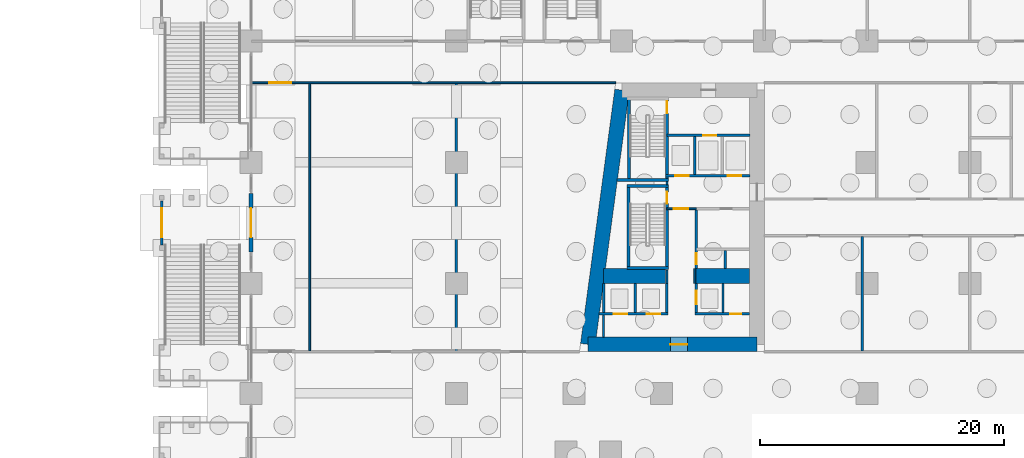
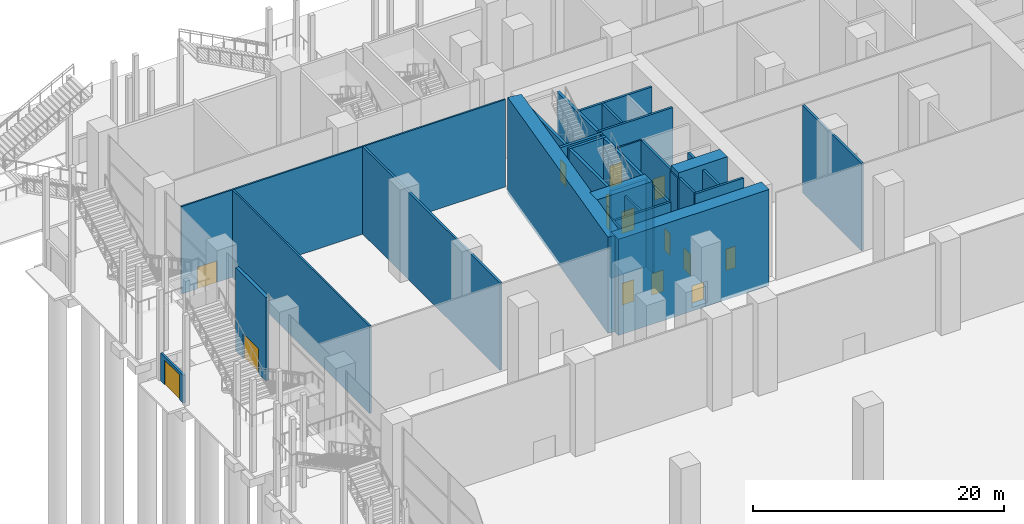
# One storey, part 41 of 72: 34 walls, 15 doors, 15 openings.
"""IFC4 building model written with IfcOpenShell, lengths in metres."""

from ifc_helpers import new_model, si_unit, direction, frame, frame_2d, origin, place, context, subcontext, project, spatial, rectangle, extrude, material, layer, layer_set, type_object, element, fill, save


model = new_model("IFC4")

# Units and contexts
model_context = context("Model", 3, precision=1e-05, world=origin(), true_north=direction((0.0, 1.0)))
body_context = subcontext(model_context, "Body", "Model", "MODEL_VIEW")
ifc_project = project(units=[si_unit("LENGTHUNIT", "METRE"), si_unit("AREAUNIT", "SQUARE_METRE"), si_unit("VOLUMEUNIT", "CUBIC_METRE"), si_unit("PLANEANGLEUNIT", "RADIAN"), si_unit("MASSUNIT", "GRAM", prefix="KILO")], contexts=[model_context])

# Site, building, storey
site_placement = place(None, origin())
site = spatial("IfcSite", under=ifc_project, at=site_placement, CompositionType="ELEMENT")
building_placement = place(site_placement, origin())
building = spatial("IfcBuilding", under=site, at=building_placement, Name="Candeia Pilgrim Tower and Theatre", CompositionType="ELEMENT")
storey_placement = place(building_placement, origin())
storey = spatial("IfcBuildingStorey", under=building, at=storey_placement, Name="L00", CompositionType="ELEMENT", Elevation=0.0)

# Wall, opening, door
ifc_material_1 = material(Name="Concrete C80/95", Category="concrete")
ifc_layer_1 = layer(ifc_material_1, 1.199951171875)
ifc_layer_set_1 = layer_set([ifc_layer_1], Name="Core wall 1200 C80/95")
wall_type_1 = type_object("IfcWallType", Name="Core wall 1200 C80/95", PredefinedType="SHEAR", material=ifc_layer_set_1)
wall_1_placement = place(storey_placement, frame((100.199951171875, 111.0, -0.35009765625), z_axis=(0.0, 0.0, 1.0), x_axis=(-1.0, 0.0, 0.0)))
wall_1 = element("IfcWall", 1, at=wall_1_placement, inside=storey, type_object=wall_type_1, Name="Core wall W3", PredefinedType="SHEAR", context=body_context, shape_type="SweptSolid", body=[
    extrude(rectangle(XDim=13.844482421875, YDim=1.199951171875, at=frame_2d((6.92236328125, 0.0))), origin(), (0.0, 0.0, 1.0), 9.35009765625),
])
opening_1_placement = place(wall_1_placement, frame((5.693603515625, 0.0, 0.35009765625)))
opening_1 = element("IfcOpeningElement", 2, at=opening_1_placement, cuts=wall_1, Name="Opening L00-D045", PredefinedType="OPENING", context=body_context, shape_type="SweptSolid", body=[
    extrude(rectangle(XDim=1.39990234375, YDim=2.10009765625, at=frame_2d((0.699951171875, 1.050048828125))), frame((0.0, 0.60986328125, 0.0), z_axis=(0.0, -1.0, 0.0), x_axis=(1.0, 0.0, 0.0)), (0.0, 0.0, 1.0), 1.219970703125),
])
ifc_material_2 = material(Name="Steel fire door set", Category="steel")
door_type_1 = type_object("IfcDoorType", Name="D-1400-FD60", OperationType="NOTDEFINED", PredefinedType="DOOR", material=ifc_material_2)
door_1_placement = place(opening_1_placement, origin())
door_1 = element("IfcDoor", 3, at=door_1_placement, inside=storey, type_object=door_type_1, Name="Door L00-D045", OperationType="SINGLE_SWING_RIGHT", OverallHeight=2.10009765625, OverallWidth=1.39990234375, PredefinedType="DOOR", context=body_context, shape_type="SweptSolid", body=[
    extrude(rectangle(XDim=1.39990234375, YDim=2.10009765625, at=frame_2d((0.699951171875, 1.050048828125))), frame((0.0, 0.02490234375, 0.0), z_axis=(0.0, -1.0, 0.0), x_axis=(1.0, 0.0, 0.0)), (0.0, 0.0, 1.0), 0.050048828125),
])
fill(opening_1, door_1)

# Walls
wall_2_placement = place(storey_placement, frame((86.35546875, 111.0, -0.35009765625), z_axis=(0.0, 0.0, 1.0), x_axis=(0.133413989637, 0.99106039542, 0.0)))
element("IfcWall", 4, at=wall_2_placement, inside=storey, type_object=wall_type_1, Name="Core wall W4", PredefinedType="SHEAR", context=body_context, shape_type="SweptSolid", body=[
    extrude(rectangle(XDim=20.987548828125, YDim=1.199951171875, at=frame_2d((10.49365234375, 0.0))), origin(), (0.0, 0.0, 1.0), 9.35009765625),
])
wall_3_placement = place(storey_placement, frame((87.623046875, 116.60009765625, -0.35009765625), z_axis=(0.0, 0.0, 1.0), x_axis=(1.0, 0.0, 0.0)))
element("IfcWall", 5, at=wall_3_placement, inside=storey, type_object=wall_type_1, Name="Core wall W5", PredefinedType="SHEAR", context=body_context, shape_type="SweptSolid", body=[
    extrude(rectangle(XDim=5.076904296875, YDim=1.199951171875, at=frame_2d((2.53857421875, 0.0))), origin(), (0.0, 0.0, 1.0), 9.35009765625),
])
wall_4_placement = place(storey_placement, frame((95.10009765625, 116.60009765625, -0.35009765625), z_axis=(0.0, 0.0, 1.0), x_axis=(1.0, 0.0, 0.0)))
element("IfcWall", 6, at=wall_4_placement, inside=storey, type_object=wall_type_1, Name="Core wall W6", PredefinedType="SHEAR", context=body_context, shape_type="SweptSolid", body=[
    extrude(rectangle(XDim=4.5, YDim=1.199951171875, at=frame_2d((2.25, 0.0))), origin(), (0.0, 0.0, 1.0), 9.35009765625),
])

# Wall, opening, door
ifc_material_3 = material(Name="Ceramic block masonry", Category="masonry")
ifc_layer_2 = layer(ifc_material_3, 0.300048828125)
ifc_layer_set_2 = layer_set([ifc_layer_2], Name="EW2 entrance infill wall 300")
wall_type_2 = type_object("IfcWallType", Name="EW2 entrance infill wall 300", PredefinedType="SOLIDWALL", material=ifc_layer_set_2)
wall_5_placement = place(storey_placement, frame((58.800048828125, 118.550048828125, 0.0), z_axis=(0.0, 0.0, 1.0), x_axis=(0.0, 1.0, 0.0)))
wall_5 = element("IfcWall", 7, at=wall_5_placement, inside=storey, type_object=wall_type_2, Name="Entrance wall L00", PredefinedType="SOLIDWALL", context=body_context, shape_type="SweptSolid", body=[
    extrude(rectangle(XDim=4.800048828125, YDim=0.300048828125, at=frame_2d((2.39990234375, 0.0))), origin(), (0.0, 0.0, 1.0), 8.10009765625),
])
opening_2_placement = place(wall_5_placement, frame((1.199951171875, 0.0, 0.0)))
opening_2 = element("IfcOpeningElement", 8, at=opening_2_placement, cuts=wall_5, Name="Opening L00-ED004", PredefinedType="OPENING", context=body_context, shape_type="SweptSolid", body=[
    extrude(rectangle(XDim=2.39990234375, YDim=2.39990234375, at=frame_2d((1.199951171875, 1.199951171875))), frame((0.0, 0.16015625, 0.0), z_axis=(0.0, -1.0, 0.0), x_axis=(1.0, 0.0, 0.0)), (0.0, 0.0, 1.0), 0.320068359375),
])
ifc_material_4 = material(Name="Aluminium framed glazed door", Category="aluminium")
door_type_2 = type_object("IfcDoorType", Name="ED entrance double door 2400x2400", OperationType="DOUBLE_DOOR_DOUBLE_SWING", PredefinedType="DOOR", material=ifc_material_4)
door_2_placement = place(opening_2_placement, origin())
door_2 = element("IfcDoor", 9, at=door_2_placement, inside=storey, type_object=door_type_2, Name="Entrance door L00-ED004", OperationType="DOUBLE_DOOR_DOUBLE_SWING", OverallHeight=2.39990234375, OverallWidth=2.39990234375, PredefinedType="DOOR", context=body_context, shape_type="SweptSolid", body=[
    extrude(rectangle(XDim=2.39990234375, YDim=2.39990234375, at=frame_2d((1.199951171875, 1.199951171875))), frame((0.0, 0.02490234375, 0.0), z_axis=(0.0, -1.0, 0.0), x_axis=(1.0, 0.0, 0.0)), (0.0, 0.0, 1.0), 0.050048828125),
])
fill(opening_2, door_2)

ifc_material_5 = material(Name="Concrete C35/45", Category="concrete")
ifc_layer_3 = layer(ifc_material_5, 0.199951171875)
ifc_layer_set_3 = layer_set([ifc_layer_3], Name="Escape stair gate wall 200")
wall_type_3 = type_object("IfcWallType", Name="Escape stair gate wall 200", PredefinedType="SOLIDWALL", material=ifc_layer_set_3)
wall_6_placement = place(storey_placement, frame((51.5, 119.14990234375, 0.0), z_axis=(0.0, 0.0, 1.0), x_axis=(0.0, 1.0, 0.0)))
wall_6 = element("IfcWall", 10, at=wall_6_placement, inside=storey, type_object=wall_type_3, Name="External escape stair ES15 gate wall", PredefinedType="SOLIDWALL", context=body_context, shape_type="SweptSolid", body=[
    extrude(rectangle(XDim=3.60009765625, YDim=0.199951171875, at=frame_2d((1.800048828125, 0.0))), origin(), (0.0, 0.0, 1.0), 2.699951171875),
])
opening_3_placement = place(wall_6_placement, frame((0.60009765625, 0.0, 0.0)))
opening_3 = element("IfcOpeningElement", 11, at=opening_3_placement, cuts=wall_6, Name="Opening XG-15", PredefinedType="OPENING", context=body_context, shape_type="SweptSolid", body=[
    extrude(rectangle(XDim=2.39990234375, YDim=2.39990234375, at=frame_2d((1.199951171875, 1.199951171875))), frame((0.0, 0.10986328125, 0.0), z_axis=(0.0, -1.0, 0.0), x_axis=(1.0, 0.0, 0.0)), (0.0, 0.0, 1.0), 0.219970703125),
])
door_3_placement = place(opening_3_placement, origin())
door_3 = element("IfcDoor", 12, at=door_3_placement, inside=storey, type_object=door_type_2, Name="Final exit door ES15", OperationType="DOUBLE_DOOR_DOUBLE_SWING", OverallHeight=2.39990234375, OverallWidth=2.39990234375, PredefinedType="DOOR", context=body_context, shape_type="SweptSolid", body=[
    extrude(rectangle(XDim=2.39990234375, YDim=2.39990234375, at=frame_2d((1.199951171875, 1.199951171875))), frame((0.0, 0.02490234375, 0.0), z_axis=(0.0, -1.0, 0.0), x_axis=(1.0, 0.0, 0.0)), (0.0, 0.0, 1.0), 0.050048828125),
])
fill(opening_3, door_3)

ifc_material_6 = material(Name="Gypsum board partition on steel studs", Category="steel")
ifc_layer_4 = layer(ifc_material_6, 0.14990234375)
ifc_layer_set_4 = layer_set([ifc_layer_4], Name="PW-150 lobby wall")
wall_type_4 = type_object("IfcWallType", Name="PW-150 lobby wall", PredefinedType="PARTITIONING", material=ifc_layer_set_4)
wall_7_placement = place(storey_placement, frame((92.826904296875, 122.10009765625, 0.0), z_axis=(0.0, 0.0, 1.0), x_axis=(1.0, 0.0, 0.0)))
wall_7 = element("IfcWall", 13, at=wall_7_placement, inside=storey, type_object=wall_type_4, Name="Lobby wall L00-016", PredefinedType="PARTITIONING", context=body_context, shape_type="SweptSolid", body=[
    extrude(rectangle(XDim=2.400146484375, YDim=0.14990234375, at=frame_2d((1.2001953125, 0.0))), origin(), (0.0, 0.0, 1.0), 8.5),
])
opening_4_placement = place(wall_7_placement, frame((0.550048828125, 0.0, 0.0)))
opening_4 = element("IfcOpeningElement", 14, at=opening_4_placement, cuts=wall_7, Name="Opening L00-D032", PredefinedType="OPENING", context=body_context, shape_type="SweptSolid", body=[
    extrude(rectangle(XDim=1.199951171875, YDim=2.10009765625, at=frame_2d((0.60009765625, 1.050048828125))), frame((0.0, 0.0849609375, 0.0), z_axis=(0.0, -1.0, 0.0), x_axis=(1.0, 0.0, 0.0)), (0.0, 0.0, 1.0), 0.169921875),
])
door_type_3 = type_object("IfcDoorType", Name="D-1200-FD60", OperationType="NOTDEFINED", PredefinedType="DOOR", material=ifc_material_2)
door_4_placement = place(opening_4_placement, origin())
door_4 = element("IfcDoor", 15, at=door_4_placement, inside=storey, type_object=door_type_3, Name="Door L00-D032", OperationType="SINGLE_SWING_RIGHT", OverallHeight=2.10009765625, OverallWidth=1.199951171875, PredefinedType="DOOR", context=body_context, shape_type="SweptSolid", body=[
    extrude(rectangle(XDim=1.199951171875, YDim=2.10009765625, at=frame_2d((0.60009765625, 1.050048828125))), frame((0.0, 0.02490234375, 0.0), z_axis=(0.0, -1.0, 0.0), x_axis=(1.0, 0.0, 0.0)), (0.0, 0.0, 1.0), 0.050048828125),
])
fill(opening_4, door_4)

# Walls
wall_8_placement = place(storey_placement, frame((87.631103515625, 111.60009765625, 0.0), z_axis=(0.0, 0.0, 1.0), x_axis=(0.0, 1.0, 0.0)))
element("IfcWall", 16, at=wall_8_placement, inside=storey, type_object=wall_type_4, Name="Lobby wall L00-052", PredefinedType="PARTITIONING", context=body_context, shape_type="SweptSolid", body=[
    extrude(rectangle(XDim=1.7998046875, YDim=0.14990234375, at=frame_2d((0.89990234375, 0.0))), origin(), (0.0, 0.0, 1.0), 8.5),
])
wall_9_placement = place(storey_placement, frame((92.826904296875, 116.0, 0.0), z_axis=(0.0, 0.0, 1.0), x_axis=(0.0, 1.0, 0.0)))
element("IfcWall", 17, at=wall_9_placement, inside=storey, type_object=wall_type_4, Name="Lobby wall L00-057", PredefinedType="PARTITIONING", context=body_context, shape_type="SweptSolid", body=[
    extrude(rectangle(XDim=1.074951171875, YDim=0.14990234375, at=frame_2d((0.53759765625, 0.0))), origin(), (0.0, 0.0, 1.0), 8.5),
])
wall_10_placement = place(storey_placement, frame((92.826904296875, 124.074951171875, 0.0), z_axis=(0.0, 0.0, 1.0), x_axis=(0.0, 1.0, 0.0)))
element("IfcWall", 18, at=wall_10_placement, inside=storey, type_object=wall_type_4, Name="Lobby wall L00-058", PredefinedType="PARTITIONING", context=body_context, shape_type="SweptSolid", body=[
    extrude(rectangle(XDim=0.25, YDim=0.14990234375, at=frame_2d((0.125, 0.0))), origin(), (0.0, 0.0, 1.0), 8.5),
])
wall_11_placement = place(storey_placement, frame((95.10009765625, 116.0, 0.0), z_axis=(0.0, 0.0, 1.0), x_axis=(0.0, 1.0, 0.0)))
element("IfcWall", 19, at=wall_11_placement, inside=storey, type_object=wall_type_4, Name="Lobby wall L00-062", PredefinedType="PARTITIONING", context=body_context, shape_type="SweptSolid", body=[
    extrude(rectangle(XDim=1.199951171875, YDim=0.14990234375, at=frame_2d((0.60009765625, 0.0))), origin(), (0.0, 0.0, 1.0), 8.5),
])

# Wall, opening, door
ifc_layer_5 = layer(ifc_material_6, 0.14990234375)
ifc_layer_set_5 = layer_set([ifc_layer_5], Name="PW-150 unit wall")
wall_type_5 = type_object("IfcWallType", Name="PW-150 unit wall", PredefinedType="PARTITIONING", material=ifc_layer_set_5)
wall_12_placement = place(storey_placement, frame((58.85009765625, 132.39990234375, 0.0), z_axis=(0.0, 0.0, 1.0), x_axis=(1.0, 0.0, 0.0)))
wall_12 = element("IfcWall", 20, at=wall_12_placement, inside=storey, type_object=wall_type_5, Name="Unit wall L00-032", PredefinedType="PARTITIONING", context=body_context, shape_type="SweptSolid", body=[
    extrude(rectangle(XDim=29.781005859375, YDim=0.14990234375, at=frame_2d((14.890625, 0.0))), origin(), (0.0, 0.0, 1.0), 8.5),
])
opening_5_placement = place(wall_12_placement, frame((1.449951171875, 0.0, 0.0)))
opening_5 = element("IfcOpeningElement", 21, at=opening_5_placement, cuts=wall_12, Name="Opening L00-D029", PredefinedType="OPENING", context=body_context, shape_type="SweptSolid", body=[
    extrude(rectangle(XDim=1.800048828125, YDim=2.10009765625, at=frame_2d((0.89990234375, 1.050048828125))), frame((0.0, 0.0849609375, 0.0), z_axis=(0.0, -1.0, 0.0), x_axis=(1.0, 0.0, 0.0)), (0.0, 0.0, 1.0), 0.169921875),
])
door_type_4 = type_object("IfcDoorType", Name="D-1800-FD60", OperationType="NOTDEFINED", PredefinedType="DOOR", material=ifc_material_2)
door_5_placement = place(opening_5_placement, origin())
door_5 = element("IfcDoor", 22, at=door_5_placement, inside=storey, type_object=door_type_4, Name="Door L00-D029", OperationType="SINGLE_SWING_LEFT", OverallHeight=2.10009765625, OverallWidth=1.800048828125, PredefinedType="DOOR", context=body_context, shape_type="SweptSolid", body=[
    extrude(rectangle(XDim=1.800048828125, YDim=2.10009765625, at=frame_2d((0.89990234375, 1.050048828125))), frame((0.0, 0.02490234375, 0.0), z_axis=(0.0, -1.0, 0.0), x_axis=(1.0, 0.0, 0.0)), (0.0, 0.0, 1.0), 0.050048828125),
])
fill(opening_5, door_5)

# Walls
wall_13_placement = place(storey_placement, frame((63.60009765625, 110.47509765625, 0.0), z_axis=(0.0, 0.0, 1.0), x_axis=(0.0, 1.0, 0.0)))
element("IfcWall", 23, at=wall_13_placement, inside=storey, type_object=wall_type_5, Name="Unit wall L00-044", PredefinedType="PARTITIONING", context=body_context, shape_type="SweptSolid", body=[
    extrude(rectangle(XDim=21.849853515625, YDim=0.14990234375, at=frame_2d((10.9248046875, 0.0))), origin(), (0.0, 0.0, 1.0), 8.5),
])
ifc_layer_6 = layer(ifc_material_6, 0.199951171875)
ifc_layer_set_6 = layer_set([ifc_layer_6], Name="PW-200 party wall")
wall_type_6 = type_object("IfcWallType", Name="PW-200 party wall", PredefinedType="PARTITIONING", material=ifc_layer_set_6)
wall_14_placement = place(storey_placement, frame((75.60009765625, 110.47509765625, 0.0), z_axis=(0.0, 0.0, 1.0), x_axis=(0.0, 1.0, 0.0)))
element("IfcWall", 24, at=wall_14_placement, inside=storey, type_object=wall_type_6, Name="Party wall L00-046", PredefinedType="PARTITIONING", context=body_context, shape_type="SweptSolid", body=[
    extrude(rectangle(XDim=21.849853515625, YDim=0.199951171875, at=frame_2d((10.9248046875, 0.0))), origin(), (0.0, 0.0, 1.0), 8.5),
])
wall_15_placement = place(storey_placement, frame((108.800048828125, 110.47509765625, 0.0), z_axis=(0.0, 0.0, 1.0), x_axis=(0.0, 1.0, 0.0)))
element("IfcWall", 25, at=wall_15_placement, inside=storey, type_object=wall_type_6, Name="Party wall L00-069", PredefinedType="PARTITIONING", context=body_context, shape_type="SweptSolid", body=[
    extrude(rectangle(XDim=9.349853515625, YDim=0.199951171875, at=frame_2d((4.6748046875, 0.0))), origin(), (0.0, 0.0, 1.0), 8.5),
])

# Wall, openings, doors
ifc_material_7 = material(Name="Concrete C40/50", Category="concrete")
ifc_layer_7 = layer(ifc_material_7, 0.199951171875)
ifc_layer_set_7 = layer_set([ifc_layer_7], Name="SW-200 shaft wall")
wall_type_7 = type_object("IfcWallType", Name="SW-200 shaft wall", PredefinedType="PARTITIONING", material=ifc_layer_set_7)
wall_16_placement = place(storey_placement, frame((87.267333984375, 113.5, 0.0), z_axis=(0.0, 0.0, 1.0), x_axis=(1.0, 0.0, 0.0)))
wall_16 = element("IfcWall", 26, at=wall_16_placement, inside=storey, type_object=wall_type_7, Name="Shaft wall L00-005", PredefinedType="PARTITIONING", context=body_context, shape_type="SweptSolid", body=[
    extrude(rectangle(XDim=5.65966796875, YDim=0.199951171875, at=frame_2d((2.829833984375, 0.0))), origin(), (0.0, 0.0, 1.0), 8.5),
])
opening_6_placement = place(wall_16_placement, frame((1.192626953125, 0.0, 0.0)))
opening_6 = element("IfcOpeningElement", 27, at=opening_6_placement, cuts=wall_16, Name="Opening L00-LD04", PredefinedType="OPENING", context=body_context, shape_type="SweptSolid", body=[
    extrude(rectangle(XDim=1.10009765625, YDim=2.10009765625, at=frame_2d((0.550048828125, 1.050048828125))), frame((0.0, 0.10986328125, 0.0), z_axis=(0.0, -1.0, 0.0), x_axis=(1.0, 0.0, 0.0)), (0.0, 0.0, 1.0), 0.219970703125),
])
opening_7_placement = place(wall_16_placement, frame((3.90966796875, 0.0, 0.0)))
opening_7 = element("IfcOpeningElement", 28, at=opening_7_placement, cuts=wall_16, Name="Opening L00-LD05", PredefinedType="OPENING", context=body_context, shape_type="SweptSolid", body=[
    extrude(rectangle(XDim=1.10009765625, YDim=2.10009765625, at=frame_2d((0.550048828125, 1.050048828125))), frame((0.0, 0.10986328125, 0.0), z_axis=(0.0, -1.0, 0.0), x_axis=(1.0, 0.0, 0.0)), (0.0, 0.0, 1.0), 0.219970703125),
])
ifc_material_8 = material(Name="Glazed aluminium landing door", Category="aluminium")
door_type_5 = type_object("IfcDoorType", Name="LD-1100-EI120", OperationType="SLIDING_TO_LEFT", PredefinedType="DOOR", material=ifc_material_8)
door_6_placement = place(opening_6_placement, origin())
door_6 = element("IfcDoor", 29, at=door_6_placement, inside=storey, type_object=door_type_5, Name="Landing door 04 L00", OperationType="SLIDING_TO_LEFT", OverallHeight=2.10009765625, OverallWidth=1.10009765625, PredefinedType="DOOR", context=body_context, shape_type="SweptSolid", body=[
    extrude(rectangle(XDim=1.10009765625, YDim=2.10009765625, at=frame_2d((0.550048828125, 1.050048828125))), frame((0.0, 0.02490234375, 0.0), z_axis=(0.0, -1.0, 0.0), x_axis=(1.0, 0.0, 0.0)), (0.0, 0.0, 1.0), 0.050048828125),
])
fill(opening_6, door_6)
door_7_placement = place(opening_7_placement, origin())
door_7 = element("IfcDoor", 30, at=door_7_placement, inside=storey, type_object=door_type_5, Name="Landing door 05 L00", OperationType="SLIDING_TO_LEFT", OverallHeight=2.10009765625, OverallWidth=1.10009765625, PredefinedType="DOOR", context=body_context, shape_type="SweptSolid", body=[
    extrude(rectangle(XDim=1.10009765625, YDim=2.10009765625, at=frame_2d((0.550048828125, 1.050048828125))), frame((0.0, 0.02490234375, 0.0), z_axis=(0.0, -1.0, 0.0), x_axis=(1.0, 0.0, 0.0)), (0.0, 0.0, 1.0), 0.050048828125),
])
fill(opening_7, door_7)

# Wall, opening, door
wall_17_placement = place(storey_placement, frame((95.126953125, 113.5, 0.0), z_axis=(0.0, 0.0, 1.0), x_axis=(1.0, 0.0, 0.0)))
wall_17 = element("IfcWall", 31, at=wall_17_placement, inside=storey, type_object=wall_type_7, Name="Shaft wall L00-006", PredefinedType="PARTITIONING", context=body_context, shape_type="SweptSolid", body=[
    extrude(rectangle(XDim=4.47314453125, YDim=0.199951171875, at=frame_2d((2.236572265625, 0.0))), origin(), (0.0, 0.0, 1.0), 8.5),
])
opening_8_placement = place(wall_17_placement, frame((2.87109375, 0.0, 0.0)))
opening_8 = element("IfcOpeningElement", 32, at=opening_8_placement, cuts=wall_17, Name="Opening L00-D037", PredefinedType="OPENING", context=body_context, shape_type="SweptSolid", body=[
    extrude(rectangle(XDim=0.89990234375, YDim=2.10009765625, at=frame_2d((0.449951171875, 1.050048828125))), frame((0.0, 0.10986328125, 0.0), z_axis=(0.0, -1.0, 0.0), x_axis=(1.0, 0.0, 0.0)), (0.0, 0.0, 1.0), 0.219970703125),
])
door_type_6 = type_object("IfcDoorType", Name="D-900-FD60", OperationType="NOTDEFINED", PredefinedType="DOOR", material=ifc_material_2)
door_8_placement = place(opening_8_placement, origin())
door_8 = element("IfcDoor", 33, at=door_8_placement, inside=storey, type_object=door_type_6, Name="Door L00-D037", OperationType="SINGLE_SWING_LEFT", OverallHeight=2.10009765625, OverallWidth=0.89990234375, PredefinedType="DOOR", context=body_context, shape_type="SweptSolid", body=[
    extrude(rectangle(XDim=0.89990234375, YDim=2.10009765625, at=frame_2d((0.449951171875, 1.050048828125))), frame((0.0, 0.02490234375, 0.0), z_axis=(0.0, -1.0, 0.0), x_axis=(1.0, 0.0, 0.0)), (0.0, 0.0, 1.0), 0.050048828125),
])
fill(opening_8, door_8)

# Wall, openings, doors
wall_18_placement = place(storey_placement, frame((92.701904296875, 124.800048828125, 0.0), z_axis=(0.0, 0.0, 1.0), x_axis=(1.0, 0.0, 0.0)))
wall_18 = element("IfcWall", 34, at=wall_18_placement, inside=storey, type_object=wall_type_7, Name="Shaft wall L00-023", PredefinedType="PARTITIONING", context=body_context, shape_type="SweptSolid", body=[
    extrude(rectangle(XDim=6.898193359375, YDim=0.199951171875, at=frame_2d((3.44921875, 0.0))), origin(), (0.0, 0.0, 1.0), 8.5),
])
opening_9_placement = place(wall_18_placement, frame((0.818115234375, 0.0, 0.0)))
opening_9 = element("IfcOpeningElement", 35, at=opening_9_placement, cuts=wall_18, Name="Opening L00-LD01", PredefinedType="OPENING", context=body_context, shape_type="SweptSolid", body=[
    extrude(rectangle(XDim=1.10009765625, YDim=2.10009765625, at=frame_2d((0.550048828125, 1.050048828125))), frame((0.0, 0.10986328125, 0.0), z_axis=(0.0, -1.0, 0.0), x_axis=(1.0, 0.0, 0.0)), (0.0, 0.0, 1.0), 0.219970703125),
])
opening_10_placement = place(wall_18_placement, frame((5.10498046875, 0.0, 0.0)))
opening_10 = element("IfcOpeningElement", 36, at=opening_10_placement, cuts=wall_18, Name="Opening L00-LD03", PredefinedType="OPENING", context=body_context, shape_type="SweptSolid", body=[
    extrude(rectangle(XDim=1.10009765625, YDim=2.10009765625, at=frame_2d((0.550048828125, 1.050048828125))), frame((0.0, 0.10986328125, 0.0), z_axis=(0.0, -1.0, 0.0), x_axis=(1.0, 0.0, 0.0)), (0.0, 0.0, 1.0), 0.219970703125),
])
door_9_placement = place(opening_9_placement, origin())
door_9 = element("IfcDoor", 37, at=door_9_placement, inside=storey, type_object=door_type_5, Name="Landing door 01 L00", OperationType="SLIDING_TO_LEFT", OverallHeight=2.10009765625, OverallWidth=1.10009765625, PredefinedType="DOOR", context=body_context, shape_type="SweptSolid", body=[
    extrude(rectangle(XDim=1.10009765625, YDim=2.10009765625, at=frame_2d((0.550048828125, 1.050048828125))), frame((0.0, 0.02490234375, 0.0), z_axis=(0.0, -1.0, 0.0), x_axis=(1.0, 0.0, 0.0)), (0.0, 0.0, 1.0), 0.050048828125),
])
fill(opening_9, door_9)
door_10_placement = place(opening_10_placement, origin())
door_10 = element("IfcDoor", 38, at=door_10_placement, inside=storey, type_object=door_type_5, Name="Landing door 03 L00", OperationType="SLIDING_TO_LEFT", OverallHeight=2.10009765625, OverallWidth=1.10009765625, PredefinedType="DOOR", context=body_context, shape_type="SweptSolid", body=[
    extrude(rectangle(XDim=1.10009765625, YDim=2.10009765625, at=frame_2d((0.550048828125, 1.050048828125))), frame((0.0, 0.02490234375, 0.0), z_axis=(0.0, -1.0, 0.0), x_axis=(1.0, 0.0, 0.0)), (0.0, 0.0, 1.0), 0.050048828125),
])
fill(opening_10, door_10)

# Wall, opening, door
wall_19_placement = place(storey_placement, frame((92.826904296875, 128.10009765625, 0.0), z_axis=(0.0, 0.0, 1.0), x_axis=(1.0, 0.0, 0.0)))
wall_19 = element("IfcWall", 39, at=wall_19_placement, inside=storey, type_object=wall_type_7, Name="Shaft wall L00-027", PredefinedType="PARTITIONING", context=body_context, shape_type="SweptSolid", body=[
    extrude(rectangle(XDim=6.773193359375, YDim=0.199951171875, at=frame_2d((3.38671875, 0.0))), origin(), (0.0, 0.0, 1.0), 8.5),
])
opening_11_placement = place(wall_19_placement, frame((2.950927734375, 0.0, 0.0)))
opening_11 = element("IfcOpeningElement", 40, at=opening_11_placement, cuts=wall_19, Name="Opening L00-LD02", PredefinedType="OPENING", context=body_context, shape_type="SweptSolid", body=[
    extrude(rectangle(XDim=1.10009765625, YDim=2.10009765625, at=frame_2d((0.550048828125, 1.050048828125))), frame((0.0, 0.10986328125, 0.0), z_axis=(0.0, -1.0, 0.0), x_axis=(1.0, 0.0, 0.0)), (0.0, 0.0, 1.0), 0.219970703125),
])
door_11_placement = place(opening_11_placement, origin())
door_11 = element("IfcDoor", 41, at=door_11_placement, inside=storey, type_object=door_type_5, Name="Landing door 02 L00", OperationType="SLIDING_TO_LEFT", OverallHeight=2.10009765625, OverallWidth=1.10009765625, PredefinedType="DOOR", context=body_context, shape_type="SweptSolid", body=[
    extrude(rectangle(XDim=1.10009765625, YDim=2.10009765625, at=frame_2d((0.550048828125, 1.050048828125))), frame((0.0, 0.02490234375, 0.0), z_axis=(0.0, -1.0, 0.0), x_axis=(1.0, 0.0, 0.0)), (0.0, 0.0, 1.0), 0.050048828125),
])
fill(opening_11, door_11)

# Walls
for number, where, z_axis, x_axis, name in (
    (42, (87.653076171875, 113.60009765625, 0.0), (0.0, 0.0, 1.0), (0.0, 1.0, 0.0), "Shaft wall L00-051"),
    (43, (90.22900390625, 113.60009765625, 0.0), (0.0, 0.0, 1.0), (0.0, 1.0, 0.0), "Shaft wall L00-055"),
    (44, (92.826904296875, 113.60009765625, 0.0), (0.0, 0.0, 1.0), (0.0, 1.0, 0.0), "Shaft wall L00-056"),
):
    element("IfcWall", number, at=place(storey_placement, frame(where, z_axis=z_axis, x_axis=x_axis)), inside=storey, type_object=wall_type_7, Name=name, PredefinedType="PARTITIONING", context=body_context, shape_type="SweptSolid", body=[
        extrude(rectangle(XDim=2.39990234375, YDim=0.199951171875, at=frame_2d((1.199951171875, 0.0))), origin(), (0.0, 0.0, 1.0), 8.5),
    ])
wall_20_placement = place(storey_placement, frame((95.084716796875, 124.89990234375, 0.0), z_axis=(0.0, 0.0, 1.0), x_axis=(0.0, 1.0, 0.0)))
element("IfcWall", 45, at=wall_20_placement, inside=storey, type_object=wall_type_7, Name="Shaft wall L00-061", PredefinedType="PARTITIONING", context=body_context, shape_type="SweptSolid", body=[
    extrude(rectangle(XDim=3.10009765625, YDim=0.199951171875, at=frame_2d((1.550048828125, 0.0))), origin(), (0.0, 0.0, 1.0), 8.5),
])

# Wall, opening, door
wall_21_placement = place(storey_placement, frame((95.22705078125, 113.60009765625, 0.0), z_axis=(0.0, 0.0, 1.0), x_axis=(0.0, 1.0, 0.0)))
wall_21 = element("IfcWall", 46, at=wall_21_placement, inside=storey, type_object=wall_type_7, Name="Shaft wall L00-063", PredefinedType="PARTITIONING", context=body_context, shape_type="SweptSolid", body=[
    extrude(rectangle(XDim=2.39990234375, YDim=0.199951171875, at=frame_2d((1.199951171875, 0.0))), origin(), (0.0, 0.0, 1.0), 8.5),
])
opening_12_placement = place(wall_21_placement, frame((0.669921875, 0.0, 0.0)))
opening_12 = element("IfcOpeningElement", 47, at=opening_12_placement, cuts=wall_21, Name="Opening L00-LD06", PredefinedType="OPENING", context=body_context, shape_type="SweptSolid", body=[
    extrude(rectangle(XDim=1.10009765625, YDim=2.10009765625, at=frame_2d((0.550048828125, 1.050048828125))), frame((0.0, 0.10986328125, 0.0), z_axis=(0.0, -1.0, 0.0), x_axis=(1.0, 0.0, 0.0)), (0.0, 0.0, 1.0), 0.219970703125),
])
door_12_placement = place(opening_12_placement, origin())
door_12 = element("IfcDoor", 48, at=door_12_placement, inside=storey, type_object=door_type_5, Name="Landing door 06 L00", OperationType="SLIDING_TO_LEFT", OverallHeight=2.10009765625, OverallWidth=1.10009765625, PredefinedType="DOOR", context=body_context, shape_type="SweptSolid", body=[
    extrude(rectangle(XDim=1.10009765625, YDim=2.10009765625, at=frame_2d((0.550048828125, 1.050048828125))), frame((0.0, 0.02490234375, 0.0), z_axis=(0.0, -1.0, 0.0), x_axis=(1.0, 0.0, 0.0)), (0.0, 0.0, 1.0), 0.050048828125),
])
fill(opening_12, door_12)

wall_22_placement = place(storey_placement, frame((95.22705078125, 117.199951171875, 0.0), z_axis=(0.0, 0.0, 1.0), x_axis=(0.0, 1.0, 0.0)))
wall_22 = element("IfcWall", 49, at=wall_22_placement, inside=storey, type_object=wall_type_7, Name="Shaft wall L00-064", PredefinedType="PARTITIONING", context=body_context, shape_type="SweptSolid", body=[
    extrude(rectangle(XDim=4.800048828125, YDim=0.199951171875, at=frame_2d((2.39990234375, 0.0))), origin(), (0.0, 0.0, 1.0), 8.5),
])
opening_13_placement = place(wall_22_placement, frame((0.35009765625, 0.0, 0.0)))
opening_13 = element("IfcOpeningElement", 50, at=opening_13_placement, cuts=wall_22, Name="Opening L00-D036", PredefinedType="OPENING", context=body_context, shape_type="SweptSolid", body=[
    extrude(rectangle(XDim=0.89990234375, YDim=2.10009765625, at=frame_2d((0.449951171875, 1.050048828125))), frame((0.0, 0.10986328125, 0.0), z_axis=(0.0, -1.0, 0.0), x_axis=(1.0, 0.0, 0.0)), (0.0, 0.0, 1.0), 0.219970703125),
])
door_13_placement = place(opening_13_placement, origin())
door_13 = element("IfcDoor", 51, at=door_13_placement, inside=storey, type_object=door_type_6, Name="Door L00-D036", OperationType="SINGLE_SWING_LEFT", OverallHeight=2.10009765625, OverallWidth=0.89990234375, PredefinedType="DOOR", context=body_context, shape_type="SweptSolid", body=[
    extrude(rectangle(XDim=0.89990234375, YDim=2.10009765625, at=frame_2d((0.449951171875, 1.050048828125))), frame((0.0, 0.02490234375, 0.0), z_axis=(0.0, -1.0, 0.0), x_axis=(1.0, 0.0, 0.0)), (0.0, 0.0, 1.0), 0.050048828125),
])
fill(opening_13, door_13)

# Walls
wall_23_placement = place(storey_placement, frame((97.41357421875, 113.60009765625, 0.0), z_axis=(0.0, 0.0, 1.0), x_axis=(0.0, 1.0, 0.0)))
element("IfcWall", 52, at=wall_23_placement, inside=storey, type_object=wall_type_7, Name="Shaft wall L00-066", PredefinedType="PARTITIONING", context=body_context, shape_type="SweptSolid", body=[
    extrude(rectangle(XDim=2.39990234375, YDim=0.199951171875, at=frame_2d((1.199951171875, 0.0))), origin(), (0.0, 0.0, 1.0), 8.5),
])
wall_24_placement = place(storey_placement, frame((97.60009765625, 117.199951171875, 0.0), z_axis=(0.0, 0.0, 1.0), x_axis=(0.0, 1.0, 0.0)))
element("IfcWall", 53, at=wall_24_placement, inside=storey, type_object=wall_type_7, Name="Shaft wall L00-067", PredefinedType="PARTITIONING", context=body_context, shape_type="SweptSolid", body=[
    extrude(rectangle(XDim=1.5, YDim=0.199951171875, at=frame_2d((0.75, 0.0))), origin(), (0.0, 0.0, 1.0), 8.5),
])
ifc_layer_8 = layer(ifc_material_7, 0.25)
ifc_layer_set_8 = layer_set([ifc_layer_8], Name="SW-250 stair wall")
wall_type_8 = type_object("IfcWallType", Name="SW-250 stair wall", PredefinedType="PARTITIONING", material=ifc_layer_set_8)
for number, where, z_axis, x_axis, name in (
    (54, (89.552001953125, 117.2451171875, 0.0), (0.0, 0.0, 1.0), (1.0, 0.0, 0.0), "Stair wall L00-009"),
    (55, (89.552001953125, 123.949951171875, 0.0), (0.0, 0.0, 1.0), (1.0, 0.0, 0.0), "Stair wall L00-019"),
):
    element("IfcWall", number, at=place(storey_placement, frame(where, z_axis=z_axis, x_axis=x_axis)), inside=storey, type_object=wall_type_8, Name=name, PredefinedType="PARTITIONING", context=body_context, shape_type="SweptSolid", body=[
        extrude(rectangle(XDim=3.39990234375, YDim=0.25, at=frame_2d((1.699951171875, 0.0))), origin(), (0.0, 0.0, 1.0), 8.5),
    ])
wall_25_placement = place(storey_placement, frame((88.741455078125, 124.449951171875, 0.0), z_axis=(0.0, 0.0, 1.0), x_axis=(1.0, 0.0, 0.0)))
element("IfcWall", 56, at=wall_25_placement, inside=storey, type_object=wall_type_8, Name="Stair wall L00-021", PredefinedType="PARTITIONING", context=body_context, shape_type="SweptSolid", body=[
    extrude(rectangle(XDim=4.21044921875, YDim=0.25, at=frame_2d((2.105224609375, 0.0))), origin(), (0.0, 0.0, 1.0), 8.5),
])
wall_26_placement = place(storey_placement, frame((89.677001953125, 117.169921875, 0.0), z_axis=(0.0, 0.0, 1.0), x_axis=(0.0, 1.0, 0.0)))
element("IfcWall", 57, at=wall_26_placement, inside=storey, type_object=wall_type_8, Name="Stair wall L00-053", PredefinedType="PARTITIONING", context=body_context, shape_type="SweptSolid", body=[
    extrude(rectangle(XDim=6.655029296875, YDim=0.25, at=frame_2d((3.32763671875, 0.0))), origin(), (0.0, 0.0, 1.0), 8.5),
])
wall_27_placement = place(storey_placement, frame((89.707275390625, 124.574951171875, 0.0), z_axis=(0.0, 0.0, 1.0), x_axis=(0.0, 1.0, 0.0)))
element("IfcWall", 58, at=wall_27_placement, inside=storey, type_object=wall_type_8, Name="Stair wall L00-054", PredefinedType="PARTITIONING", context=body_context, shape_type="SweptSolid", body=[
    extrude(rectangle(XDim=6.5, YDim=0.25, at=frame_2d((3.25, 0.0))), origin(), (0.0, 0.0, 1.0), 8.5),
])

# Wall, opening, door
wall_28_placement = place(storey_placement, frame((92.826904296875, 117.169921875, 0.0), z_axis=(0.0, 0.0, 1.0), x_axis=(0.0, 1.0, 0.0)))
wall_28 = element("IfcWall", 59, at=wall_28_placement, inside=storey, type_object=wall_type_8, Name="Stair wall L00-059", PredefinedType="PARTITIONING", context=body_context, shape_type="SweptSolid", body=[
    extrude(rectangle(XDim=6.655029296875, YDim=0.25, at=frame_2d((3.32763671875, 0.0))), origin(), (0.0, 0.0, 1.0), 8.5),
])
opening_14_placement = place(wall_28_placement, frame((5.35498046875, 0.0, 0.0)))
opening_14 = element("IfcOpeningElement", 60, at=opening_14_placement, cuts=wall_28, Name="Opening L00-D034", PredefinedType="OPENING", context=body_context, shape_type="SweptSolid", body=[
    extrude(rectangle(XDim=0.949951171875, YDim=2.10009765625, at=frame_2d((0.47509765625, 1.050048828125))), frame((0.0, 0.135009765625, 0.0), z_axis=(0.0, -1.0, 0.0), x_axis=(1.0, 0.0, 0.0)), (0.0, 0.0, 1.0), 0.27001953125),
])
door_type_7 = type_object("IfcDoorType", Name="D-950-FD60", OperationType="NOTDEFINED", PredefinedType="DOOR", material=ifc_material_2)
door_14_placement = place(opening_14_placement, origin())
door_14 = element("IfcDoor", 61, at=door_14_placement, inside=storey, type_object=door_type_7, Name="Door L00-D034", OperationType="SINGLE_SWING_LEFT", OverallHeight=2.10009765625, OverallWidth=0.949951171875, PredefinedType="DOOR", context=body_context, shape_type="SweptSolid", body=[
    extrude(rectangle(XDim=0.949951171875, YDim=2.10009765625, at=frame_2d((0.47509765625, 1.050048828125))), frame((0.0, 0.02490234375, 0.0), z_axis=(0.0, -1.0, 0.0), x_axis=(1.0, 0.0, 0.0)), (0.0, 0.0, 1.0), 0.050048828125),
])
fill(opening_14, door_14)

wall_29_placement = place(storey_placement, frame((92.826904296875, 124.574951171875, 0.0), z_axis=(0.0, 0.0, 1.0), x_axis=(0.0, 1.0, 0.0)))
wall_29 = element("IfcWall", 62, at=wall_29_placement, inside=storey, type_object=wall_type_8, Name="Stair wall L00-060", PredefinedType="PARTITIONING", context=body_context, shape_type="SweptSolid", body=[
    extrude(rectangle(XDim=6.655029296875, YDim=0.25, at=frame_2d((3.32763671875, 0.0))), origin(), (0.0, 0.0, 1.0), 8.5),
])
opening_15_placement = place(wall_29_placement, frame((5.324951171875, 0.0, 0.0)))
opening_15 = element("IfcOpeningElement", 63, at=opening_15_placement, cuts=wall_29, Name="Opening L00-D035", PredefinedType="OPENING", context=body_context, shape_type="SweptSolid", body=[
    extrude(rectangle(XDim=1.0, YDim=2.10009765625, at=frame_2d((0.5, 1.050048828125))), frame((0.0, 0.135009765625, 0.0), z_axis=(0.0, -1.0, 0.0), x_axis=(1.0, 0.0, 0.0)), (0.0, 0.0, 1.0), 0.27001953125),
])
door_type_8 = type_object("IfcDoorType", Name="D-1000-FD60", OperationType="NOTDEFINED", PredefinedType="DOOR", material=ifc_material_2)
door_15_placement = place(opening_15_placement, origin())
door_15 = element("IfcDoor", 64, at=door_15_placement, inside=storey, type_object=door_type_8, Name="Door L00-D035", OperationType="SINGLE_SWING_RIGHT", OverallHeight=2.10009765625, OverallWidth=1.0, PredefinedType="DOOR", context=body_context, shape_type="SweptSolid", body=[
    extrude(rectangle(XDim=1.0, YDim=2.10009765625, at=frame_2d((0.5, 1.050048828125))), frame((0.0, 0.02490234375, 0.0), z_axis=(0.0, -1.0, 0.0), x_axis=(1.0, 0.0, 0.0)), (0.0, 0.0, 1.0), 0.050048828125),
])
fill(opening_15, door_15)

save(model, "model.ifc")
